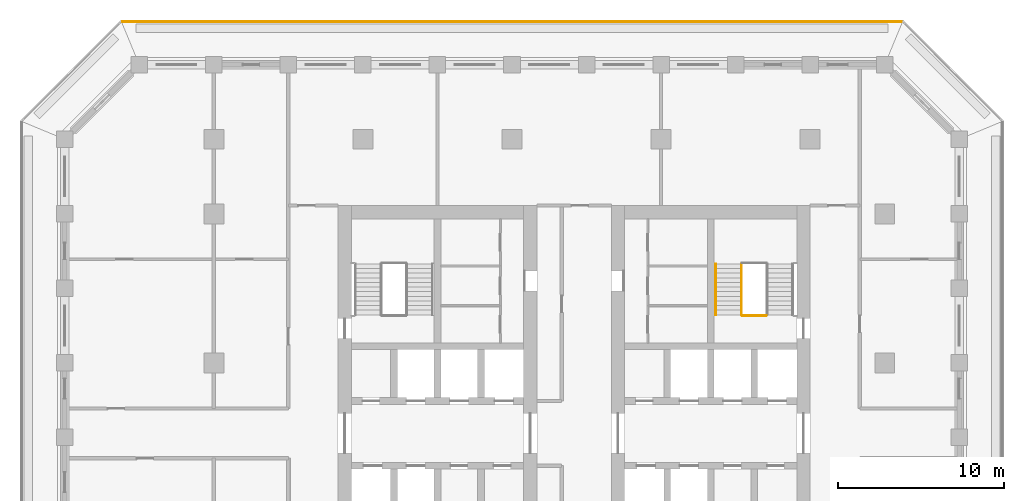
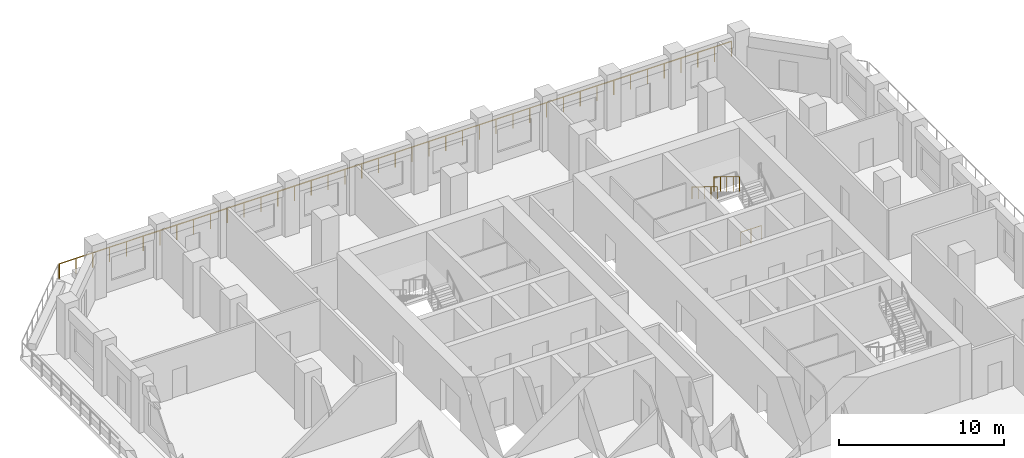
# One storey, part 14 of 16: 4 railings.
"""IFC4 building model written with IfcOpenShell, lengths in metres."""

from ifc_helpers import new_model, si_unit, direction, frame, origin, origin_2d, place, context, subcontext, project, spatial, circle, extrude, material, type_object, element, save


model = new_model("IFC4")

# Units and contexts
model_context = context("Model", 3, precision=1e-05, world=origin(), true_north=direction((0.0, 1.0)))
body_context = subcontext(model_context, "Body", "Model", "MODEL_VIEW")
ifc_project = project(units=[si_unit("LENGTHUNIT", "METRE"), si_unit("AREAUNIT", "SQUARE_METRE"), si_unit("VOLUMEUNIT", "CUBIC_METRE"), si_unit("PLANEANGLEUNIT", "RADIAN"), si_unit("MASSUNIT", "GRAM", prefix="KILO")], contexts=[model_context])

# Site, building, storey
site_placement = place(None, origin())
site = spatial("IfcSite", under=ifc_project, at=site_placement, CompositionType="ELEMENT")
building_placement = place(site_placement, origin())
building = spatial("IfcBuilding", under=site, at=building_placement, Name="Corbel Stack Research Tower", CompositionType="ELEMENT")
storey_placement = place(building_placement, frame((0.0, 0.0, 169.10009765625)))
storey = spatial("IfcBuildingStorey", under=building, at=storey_placement, Name="L38", CompositionType="ELEMENT", Elevation=169.10009765625)

# Railings
ifc_material_1 = material(Name="Steel S355", Category="steel")
railing_type_1 = type_object("IfcRailingType", Name="Stair guard 1100", PredefinedType="GUARDRAIL", material=ifc_material_1)
railing_1_placement = place(storey_placement, frame((13.85009765625, 14.97998046875, 2.220703125)))
element("IfcRailing", 1, at=railing_1_placement, inside=storey, type_object=railing_type_1, Name="L38 ST-E2 stair guard 4", PredefinedType="GUARDRAIL", context=body_context, shape_type="SweptSolid", body=[
    extrude(circle(Radius=0.02392578125, at=origin_2d()), frame((0.0, 0.0, 1.076171875), z_axis=(0.0, -0.853666305674, 0.52082035152), x_axis=(1.0, 0.0, 0.0)), (0.0, 0.0, 1.0), 3.608154296875),
    extrude(circle(Radius=0.02099609375, at=origin_2d()), origin(), (0.0, 0.0, 1.0), 1.052001953125),
    extrude(circle(Radius=0.02099609375, at=origin_2d()), frame((0.0, -0.77001953125, 0.4697265625)), (0.0, 0.0, 1.0), 1.052001953125),
    extrude(circle(Radius=0.02099609375, at=origin_2d()), frame((0.0, -1.5400390625, 0.939453125)), (0.0, 0.0, 1.0), 1.052001953125),
    extrude(circle(Radius=0.02099609375, at=origin_2d()), frame((0.0, -2.31005859375, 1.409423828125)), (0.0, 0.0, 1.0), 1.052001953125),
    extrude(circle(Radius=0.02099609375, at=origin_2d()), frame((0.0, -3.080078125, 1.879150390625)), (0.0, 0.0, 1.0), 1.052001953125),
])
railing_2_placement = place(storey_placement, frame((15.35009765625, 11.85009765625, 0.0)))
element("IfcRailing", 2, at=railing_2_placement, inside=storey, type_object=railing_type_1, Name="L38 ST-E2 stair guard 5", PredefinedType="GUARDRAIL", context=body_context, shape_type="SweptSolid", body=[
    extrude(circle(Radius=0.02392578125, at=origin_2d()), frame((0.0, 0.0, 1.076171875), z_axis=(-1.0, 0.0, 0.0), x_axis=(0.0, -1.0, 0.0)), (0.0, 0.0, 1.0), 1.4501953125),
    extrude(circle(Radius=0.02099609375, at=origin_2d()), origin(), (0.0, 0.0, 1.0), 1.052001953125),
    extrude(circle(Radius=0.02099609375, at=origin_2d()), frame((-0.72509765625, 0.0, 0.0)), (0.0, 0.0, 1.0), 1.052001953125),
    extrude(circle(Radius=0.02099609375, at=origin_2d()), frame((-1.4501953125, 0.0, 0.0)), (0.0, 0.0, 1.0), 1.052001953125),
])
ifc_material_2 = material(Name="Steel S355", Category="steel")
railing_type_2 = type_object("IfcRailingType", Name="Stair handrail 900", PredefinedType="HANDRAIL", material=ifc_material_2)
railing_3_placement = place(storey_placement, frame((12.300048828125, 14.97998046875, 2.220703125)))
element("IfcRailing", 3, at=railing_3_placement, inside=storey, type_object=railing_type_2, Name="L38 ST-E2 stair handrail 2", PredefinedType="HANDRAIL", context=body_context, shape_type="SweptSolid", body=[
    extrude(circle(Radius=0.02392578125, at=origin_2d()), frame((0.0, 0.0, 0.8759765625), z_axis=(0.0, -0.853666305674, 0.52082035152), x_axis=(1.0, 0.0, 0.0)), (0.0, 0.0, 1.0), 3.608154296875),
    extrude(circle(Radius=0.02099609375, at=origin_2d()), origin(), (0.0, 0.0, 1.0), 0.851806640625),
    extrude(circle(Radius=0.02099609375, at=origin_2d()), frame((0.0, -0.77001953125, 0.4697265625)), (0.0, 0.0, 1.0), 0.851806640625),
    extrude(circle(Radius=0.02099609375, at=origin_2d()), frame((0.0, -1.5400390625, 0.939453125)), (0.0, 0.0, 1.0), 0.851806640625),
    extrude(circle(Radius=0.02099609375, at=origin_2d()), frame((0.0, -2.31005859375, 1.409423828125)), (0.0, 0.0, 1.0), 0.851806640625),
    extrude(circle(Radius=0.02099609375, at=origin_2d()), frame((0.0, -3.080078125, 1.879150390625)), (0.0, 0.0, 1.0), 0.851806640625),
])
ifc_material_3 = material(Name="Powder-coated steel guard", Category="steel")
railing_type_3 = type_object("IfcRailingType", Name="Steel and glass guard 1100", PredefinedType="GUARDRAIL", material=ifc_material_3)
railing_4_placement = place(storey_placement, frame((23.50537109375, 29.60009765625, 0.0)))
element("IfcRailing", 4, at=railing_4_placement, inside=storey, type_object=railing_type_3, Name="Loggia guard L38 N", PredefinedType="GUARDRAIL", context=body_context, shape_type="SweptSolid", body=[
    extrude(circle(Radius=0.02392578125, at=origin_2d()), frame((0.0, 0.0, 1.076171875), z_axis=(-1.0, 0.0, 0.0), x_axis=(0.0, -1.0, 0.0)), (0.0, 0.0, 1.0), 47.0107421875),
    extrude(circle(Radius=0.02099609375, at=origin_2d()), origin(), (0.0, 0.0, 1.0), 1.052001953125),
    extrude(circle(Radius=0.02099609375, at=origin_2d()), frame((-1.17529296875, 0.0, 0.0)), (0.0, 0.0, 1.0), 1.052001953125),
    extrude(circle(Radius=0.02099609375, at=origin_2d()), frame((-2.3505859375, 0.0, 0.0)), (0.0, 0.0, 1.0), 1.052001953125),
    extrude(circle(Radius=0.02099609375, at=origin_2d()), frame((-3.52587890625, 0.0, 0.0)), (0.0, 0.0, 1.0), 1.052001953125),
    extrude(circle(Radius=0.02099609375, at=origin_2d()), frame((-4.701171875, 0.0, 0.0)), (0.0, 0.0, 1.0), 1.052001953125),
    extrude(circle(Radius=0.02099609375, at=origin_2d()), frame((-5.87646484375, 0.0, 0.0)), (0.0, 0.0, 1.0), 1.052001953125),
    extrude(circle(Radius=0.02099609375, at=origin_2d()), frame((-7.051513671875, 0.0, 0.0)), (0.0, 0.0, 1.0), 1.052001953125),
    extrude(circle(Radius=0.02099609375, at=origin_2d()), frame((-8.226806640625, 0.0, 0.0)), (0.0, 0.0, 1.0), 1.052001953125),
    extrude(circle(Radius=0.02099609375, at=origin_2d()), frame((-9.402099609375, 0.0, 0.0)), (0.0, 0.0, 1.0), 1.052001953125),
    extrude(circle(Radius=0.02099609375, at=origin_2d()), frame((-10.577392578125, 0.0, 0.0)), (0.0, 0.0, 1.0), 1.052001953125),
    extrude(circle(Radius=0.02099609375, at=origin_2d()), frame((-11.752685546875, 0.0, 0.0)), (0.0, 0.0, 1.0), 1.052001953125),
    extrude(circle(Radius=0.02099609375, at=origin_2d()), frame((-12.927978515625, 0.0, 0.0)), (0.0, 0.0, 1.0), 1.052001953125),
    extrude(circle(Radius=0.02099609375, at=origin_2d()), frame((-14.103271484375, 0.0, 0.0)), (0.0, 0.0, 1.0), 1.052001953125),
    extrude(circle(Radius=0.02099609375, at=origin_2d()), frame((-15.278564453125, 0.0, 0.0)), (0.0, 0.0, 1.0), 1.052001953125),
    extrude(circle(Radius=0.02099609375, at=origin_2d()), frame((-16.453857421875, 0.0, 0.0)), (0.0, 0.0, 1.0), 1.052001953125),
    extrude(circle(Radius=0.02099609375, at=origin_2d()), frame((-17.62890625, 0.0, 0.0)), (0.0, 0.0, 1.0), 1.052001953125),
    extrude(circle(Radius=0.02099609375, at=origin_2d()), frame((-18.80419921875, 0.0, 0.0)), (0.0, 0.0, 1.0), 1.052001953125),
    extrude(circle(Radius=0.02099609375, at=origin_2d()), frame((-19.9794921875, 0.0, 0.0)), (0.0, 0.0, 1.0), 1.052001953125),
    extrude(circle(Radius=0.02099609375, at=origin_2d()), frame((-21.15478515625, 0.0, 0.0)), (0.0, 0.0, 1.0), 1.052001953125),
    extrude(circle(Radius=0.02099609375, at=origin_2d()), frame((-22.330078125, 0.0, 0.0)), (0.0, 0.0, 1.0), 1.052001953125),
    extrude(circle(Radius=0.02099609375, at=origin_2d()), frame((-23.50537109375, 0.0, 0.0)), (0.0, 0.0, 1.0), 1.052001953125),
    extrude(circle(Radius=0.02099609375, at=origin_2d()), frame((-24.6806640625, 0.0, 0.0)), (0.0, 0.0, 1.0), 1.052001953125),
    extrude(circle(Radius=0.02099609375, at=origin_2d()), frame((-25.85595703125, 0.0, 0.0)), (0.0, 0.0, 1.0), 1.052001953125),
    extrude(circle(Radius=0.02099609375, at=origin_2d()), frame((-27.03125, 0.0, 0.0)), (0.0, 0.0, 1.0), 1.052001953125),
    extrude(circle(Radius=0.02099609375, at=origin_2d()), frame((-28.20654296875, 0.0, 0.0)), (0.0, 0.0, 1.0), 1.052001953125),
    extrude(circle(Radius=0.02099609375, at=origin_2d()), frame((-29.3818359375, 0.0, 0.0)), (0.0, 0.0, 1.0), 1.052001953125),
    extrude(circle(Radius=0.02099609375, at=origin_2d()), frame((-30.556884765625, 0.0, 0.0)), (0.0, 0.0, 1.0), 1.052001953125),
    extrude(circle(Radius=0.02099609375, at=origin_2d()), frame((-31.732177734375, 0.0, 0.0)), (0.0, 0.0, 1.0), 1.052001953125),
    extrude(circle(Radius=0.02099609375, at=origin_2d()), frame((-32.907470703125, 0.0, 0.0)), (0.0, 0.0, 1.0), 1.052001953125),
    extrude(circle(Radius=0.02099609375, at=origin_2d()), frame((-34.082763671875, 0.0, 0.0)), (0.0, 0.0, 1.0), 1.052001953125),
    extrude(circle(Radius=0.02099609375, at=origin_2d()), frame((-35.258056640625, 0.0, 0.0)), (0.0, 0.0, 1.0), 1.052001953125),
    extrude(circle(Radius=0.02099609375, at=origin_2d()), frame((-36.433349609375, 0.0, 0.0)), (0.0, 0.0, 1.0), 1.052001953125),
    extrude(circle(Radius=0.02099609375, at=origin_2d()), frame((-37.608642578125, 0.0, 0.0)), (0.0, 0.0, 1.0), 1.052001953125),
    extrude(circle(Radius=0.02099609375, at=origin_2d()), frame((-38.783935546875, 0.0, 0.0)), (0.0, 0.0, 1.0), 1.052001953125),
    extrude(circle(Radius=0.02099609375, at=origin_2d()), frame((-39.959228515625, 0.0, 0.0)), (0.0, 0.0, 1.0), 1.052001953125),
    extrude(circle(Radius=0.02099609375, at=origin_2d()), frame((-41.13427734375, 0.0, 0.0)), (0.0, 0.0, 1.0), 1.052001953125),
    extrude(circle(Radius=0.02099609375, at=origin_2d()), frame((-42.3095703125, 0.0, 0.0)), (0.0, 0.0, 1.0), 1.052001953125),
    extrude(circle(Radius=0.02099609375, at=origin_2d()), frame((-43.48486328125, 0.0, 0.0)), (0.0, 0.0, 1.0), 1.052001953125),
    extrude(circle(Radius=0.02099609375, at=origin_2d()), frame((-44.66015625, 0.0, 0.0)), (0.0, 0.0, 1.0), 1.052001953125),
    extrude(circle(Radius=0.02099609375, at=origin_2d()), frame((-45.83544921875, 0.0, 0.0)), (0.0, 0.0, 1.0), 1.052001953125),
    extrude(circle(Radius=0.02099609375, at=origin_2d()), frame((-47.0107421875, 0.0, 0.0)), (0.0, 0.0, 1.0), 1.052001953125),
])

save(model, "model.ifc")
